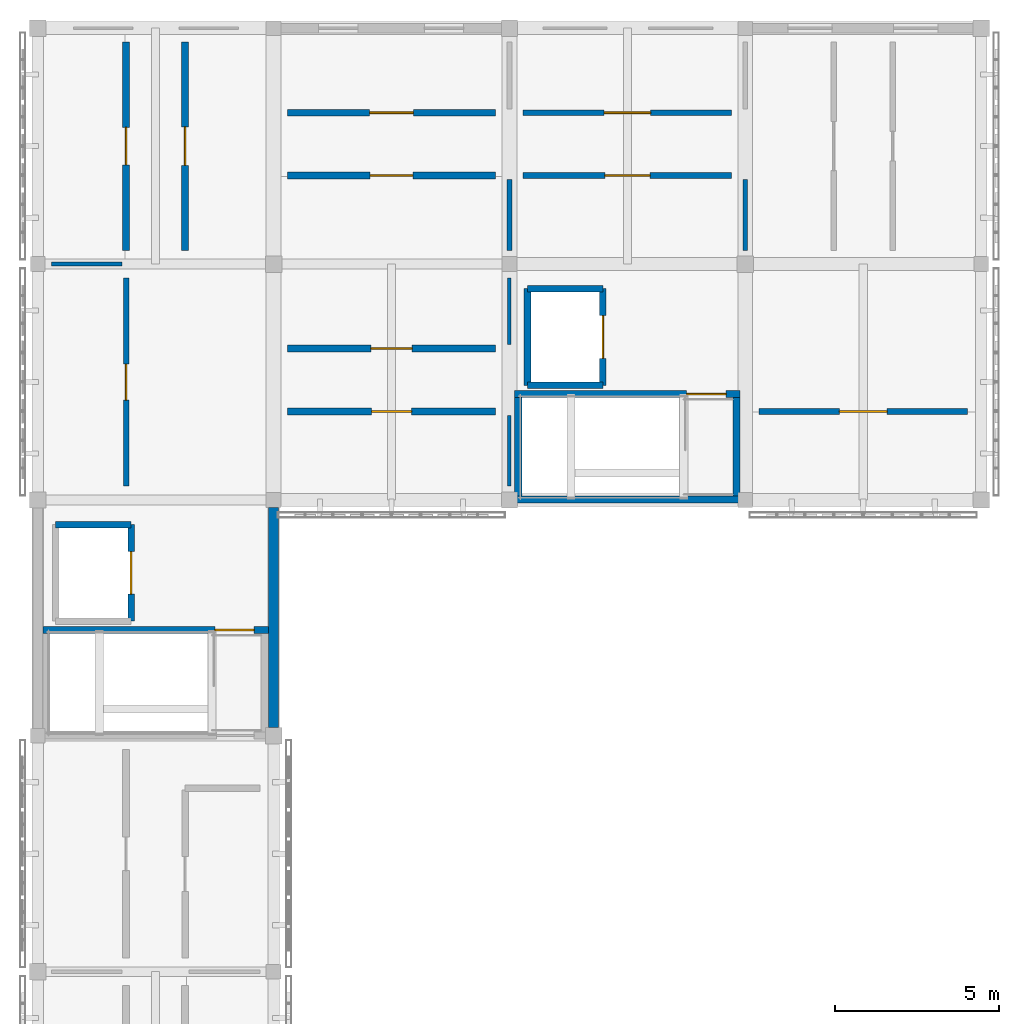
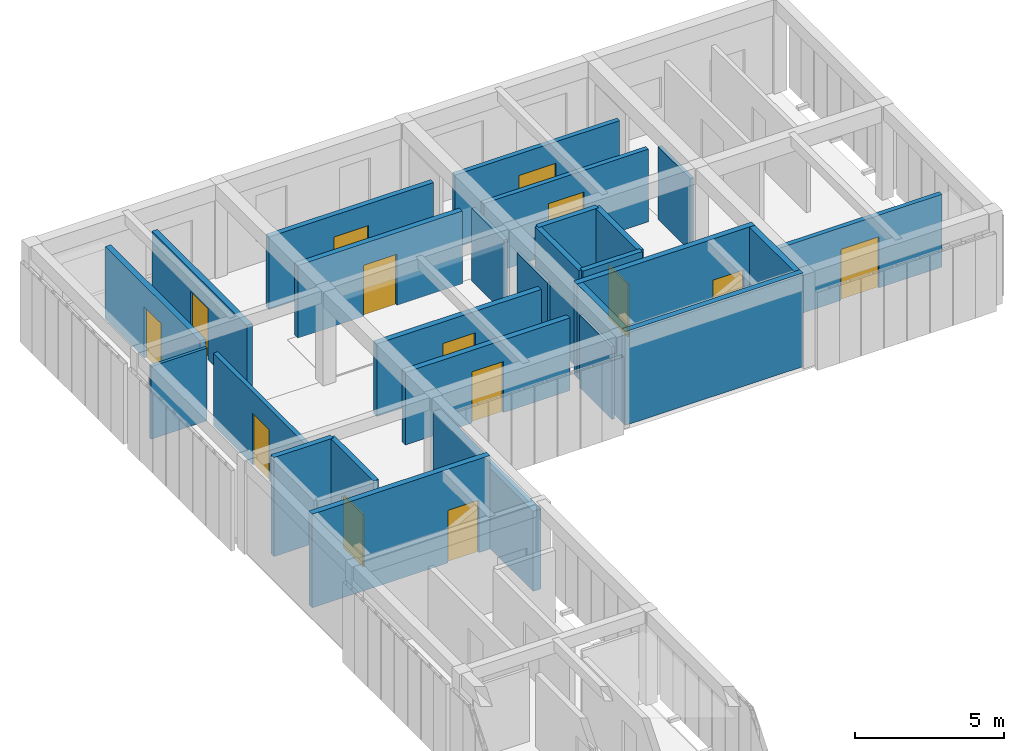
# One storey, part 11 of 14: 27 walls, 14 doors, 14 openings.
"""IFC4 building model written with IfcOpenShell, lengths in metres."""

from ifc_helpers import new_model, si_unit, direction, frame, frame_2d, origin, place, context, subcontext, project, spatial, rectangle, extrude, material, layer, layer_set, type_object, element, fill, save


model = new_model("IFC4")

# Units and contexts
model_context = context("Model", 3, precision=1e-05, world=origin(), true_north=direction((0.0, 1.0)))
body_context = subcontext(model_context, "Body", "Model", "MODEL_VIEW")
ifc_project = project(units=[si_unit("LENGTHUNIT", "METRE"), si_unit("AREAUNIT", "SQUARE_METRE"), si_unit("VOLUMEUNIT", "CUBIC_METRE"), si_unit("PLANEANGLEUNIT", "RADIAN"), si_unit("MASSUNIT", "GRAM", prefix="KILO")], contexts=[model_context])

# Site, building, storey
site_placement = place(None, origin())
site = spatial("IfcSite", under=ifc_project, at=site_placement, CompositionType="ELEMENT")
building_placement = place(site_placement, origin())
building = spatial("IfcBuilding", under=site, at=building_placement, Name="Aldebral Square Health Centre", CompositionType="ELEMENT")
storey_placement = place(building_placement, frame((0.0, 0.0, 21.60009765625)))
storey = spatial("IfcBuildingStorey", under=building, at=storey_placement, Name="L05", CompositionType="ELEMENT", Elevation=21.60009765625)

# Wall
ifc_material_1 = material(Name="Precast concrete C40/50 insulated panel", Category="concrete")
ifc_layer_1 = layer(ifc_material_1, 0.300048828125, Name="Precast concrete C40/50 insulated panel", Category="concrete")
ifc_layer_set_1 = layer_set([ifc_layer_1], Name="Precast concrete C40/50 insulated panel")
wall_type_1 = type_object("IfcWallType", Name="EW-PRE-300", PredefinedType="STANDARD", material=ifc_layer_set_1)
wall_1_placement = place(storey_placement, frame((7.199951171875, 93.85009765625, 0.0), z_axis=(0.0, 0.0, 1.0), x_axis=(0.0, 1.0, 0.0)))
element("IfcWall", 1, at=wall_1_placement, inside=storey, type_object=wall_type_1, Name="L05 V4 exterior wall L05-V4-00-13-E", PredefinedType="STANDARD", context=body_context, shape_type="SweptSolid", body=[
    extrude(rectangle(XDim=6.724853515625, YDim=0.300048828125, at=frame_2d((3.3623046875, 0.0))), origin(), (0.0, 0.0, 1.0), 3.27978515625),
])

# Wall, opening, door
ifc_material_2 = material(Name="Concrete C35/45 compartment wall", Category="concrete")
ifc_layer_2 = layer(ifc_material_2, 0.199951171875, Name="Concrete C35/45 compartment wall", Category="concrete")
ifc_layer_set_2 = layer_set([ifc_layer_2], Name="Concrete C35/45 compartment wall")
wall_type_2 = type_object("IfcWallType", Name="IW-CMP-200", PredefinedType="SOLIDWALL", material=ifc_layer_set_2)
wall_2_placement = place(storey_placement, frame((7.6201171875, 112.6201171875, 0.0), z_axis=(0.0, 0.0, 1.0), x_axis=(1.0, 0.0, 0.0)))
wall_2 = element("IfcWall", 2, at=wall_2_placement, inside=storey, type_object=wall_type_2, Name="L05 Preventive Screening Room 2.16N corridor wall", PredefinedType="SOLIDWALL", context=body_context, shape_type="SweptSolid", body=[
    extrude(rectangle(XDim=6.35986328125, YDim=0.199951171875, at=frame_2d((3.179931640625, 0.0))), origin(), (0.0, 0.0, 1.0), 2.969970703125),
])
opening_1_placement = place(wall_2_placement, frame((2.510009765625, 0.0, 0.0)))
opening_1 = element("IfcOpeningElement", 3, at=opening_1_placement, cuts=wall_2, Name="Opening D-0663", PredefinedType="OPENING", context=body_context, shape_type="SweptSolid", body=[
    extrude(rectangle(XDim=1.340087890625, YDim=2.090087890625, at=frame_2d((0.669921875, 1.044921875))), frame((0.0, 0.10986328125, 0.0), z_axis=(0.0, -1.0, 0.0), x_axis=(1.0, 0.0, 0.0)), (0.0, 0.0, 1.0), 0.219970703125),
])
ifc_material_3 = material(Name="Clinical suite fire door")
door_type_1 = type_object("IfcDoorType", Name="ID-EXD-27", OperationType="NOTDEFINED", PredefinedType="DOOR", material=ifc_material_3)
door_1_placement = place(opening_1_placement, origin())
door_1 = element("IfcDoor", 4, at=door_1_placement, inside=storey, type_object=door_type_1, Name="L05 Preventive Screening Room 2.16N door", OperationType="SINGLE_SWING_RIGHT", OverallHeight=2.090087890625, OverallWidth=1.340087890625, PredefinedType="DOOR", context=body_context, shape_type="SweptSolid", body=[
    extrude(rectangle(XDim=1.340087890625, YDim=2.090087890625, at=frame_2d((0.669921875, 1.044921875))), frame((0.0, 0.02490234375, 0.0), z_axis=(0.0, -1.0, 0.0), x_axis=(1.0, 0.0, 0.0)), (0.0, 0.0, 1.0), 0.050048828125),
])
fill(opening_1, door_1)

ifc_layer_3 = layer(ifc_material_2, 0.219970703125, Name="Concrete C35/45 compartment wall", Category="concrete")
ifc_layer_set_3 = layer_set([ifc_layer_3], Name="Concrete C35/45 compartment wall")
wall_type_3 = type_object("IfcWallType", Name="IW-CMP-220", PredefinedType="SOLIDWALL", material=ifc_layer_set_3)
wall_3_placement = place(storey_placement, frame((2.699951171875, 108.419921875, 0.0), z_axis=(0.0, 0.0, 1.0), x_axis=(0.0, 1.0, 0.0)))
wall_3 = element("IfcWall", 5, at=wall_3_placement, inside=storey, type_object=wall_type_3, Name="L05 Clinical Governance Suite 1.16W corridor wall", PredefinedType="SOLIDWALL", context=body_context, shape_type="SweptSolid", body=[
    extrude(rectangle(XDim=6.360107421875, YDim=0.219970703125, at=frame_2d((3.18017578125, 0.0))), origin(), (0.0, 0.0, 1.0), 2.969970703125),
])
opening_2_placement = place(wall_3_placement, frame((2.610107421875, 0.0, 0.0)))
opening_2 = element("IfcOpeningElement", 6, at=opening_2_placement, cuts=wall_3, Name="Opening D-0658", PredefinedType="OPENING", context=body_context, shape_type="SweptSolid", body=[
    extrude(rectangle(XDim=1.139892578125, YDim=2.090087890625, at=frame_2d((0.56982421875, 1.044921875))), frame((0.0, 0.1201171875, 0.0), z_axis=(0.0, -1.0, 0.0), x_axis=(1.0, 0.0, 0.0)), (0.0, 0.0, 1.0), 0.239990234375),
])
door_type_2 = type_object("IfcDoorType", Name="ID-EXD-22", OperationType="NOTDEFINED", PredefinedType="DOOR", material=ifc_material_3)
door_2_placement = place(opening_2_placement, origin())
door_2 = element("IfcDoor", 7, at=door_2_placement, inside=storey, type_object=door_type_2, Name="L05 Clinical Governance Suite 1.16W door", OperationType="SINGLE_SWING_LEFT", OverallHeight=2.090087890625, OverallWidth=1.139892578125, PredefinedType="DOOR", context=body_context, shape_type="SweptSolid", body=[
    extrude(rectangle(XDim=1.139892578125, YDim=2.090087890625, at=frame_2d((0.56982421875, 1.044921875))), frame((0.0, 0.02490234375, 0.0), z_axis=(0.0, -1.0, 0.0), x_axis=(1.0, 0.0, 0.0)), (0.0, 0.0, 1.0), 0.050048828125),
])
fill(opening_2, door_2)

wall_4_placement = place(storey_placement, frame((4.5, 108.419921875, 0.0), z_axis=(0.0, 0.0, 1.0), x_axis=(0.0, 1.0, 0.0)))
wall_4 = element("IfcWall", 8, at=wall_4_placement, inside=storey, type_object=wall_type_3, Name="L05 Telemedicine Consultation Room 1.16E corridor wall", PredefinedType="SOLIDWALL", context=body_context, shape_type="SweptSolid", body=[
    extrude(rectangle(XDim=6.360107421875, YDim=0.219970703125, at=frame_2d((3.18017578125, 0.0))), origin(), (0.0, 0.0, 1.0), 2.969970703125),
])
opening_3_placement = place(wall_4_placement, frame((2.590087890625, 0.0, 0.0)))
opening_3 = element("IfcOpeningElement", 9, at=opening_3_placement, cuts=wall_4, Name="Opening D-0659", PredefinedType="OPENING", context=body_context, shape_type="SweptSolid", body=[
    extrude(rectangle(XDim=1.179931640625, YDim=2.090087890625, at=frame_2d((0.58984375, 1.044921875))), frame((0.0, 0.1201171875, 0.0), z_axis=(0.0, -1.0, 0.0), x_axis=(1.0, 0.0, 0.0)), (0.0, 0.0, 1.0), 0.239990234375),
])
door_type_3 = type_object("IfcDoorType", Name="ID-EXD-23", OperationType="NOTDEFINED", PredefinedType="DOOR", material=ifc_material_3)
door_3_placement = place(opening_3_placement, origin())
door_3 = element("IfcDoor", 10, at=door_3_placement, inside=storey, type_object=door_type_3, Name="L05 Telemedicine Consultation Room 1.16E door", OperationType="SINGLE_SWING_RIGHT", OverallHeight=2.090087890625, OverallWidth=1.179931640625, PredefinedType="DOOR", context=body_context, shape_type="SweptSolid", body=[
    extrude(rectangle(XDim=1.179931640625, YDim=2.090087890625, at=frame_2d((0.58984375, 1.044921875))), frame((0.0, 0.02490234375, 0.0), z_axis=(0.0, -1.0, 0.0), x_axis=(1.0, 0.0, 0.0)), (0.0, 0.0, 1.0), 0.050048828125),
])
fill(opening_3, door_3)

wall_5_placement = place(storey_placement, frame((7.6201171875, 103.5, 0.0), z_axis=(0.0, 0.0, 1.0), x_axis=(1.0, 0.0, 0.0)))
wall_5 = element("IfcWall", 11, at=wall_5_placement, inside=storey, type_object=wall_type_3, Name="L05 Staff Continuing Education Room 2.15S corridor wall", PredefinedType="SOLIDWALL", context=body_context, shape_type="SweptSolid", body=[
    extrude(rectangle(XDim=6.35986328125, YDim=0.219970703125, at=frame_2d((3.179931640625, 0.0))), origin(), (0.0, 0.0, 1.0), 2.969970703125),
])
opening_4_placement = place(wall_5_placement, frame((2.570068359375, 0.0, 0.0)))
opening_4 = element("IfcOpeningElement", 12, at=opening_4_placement, cuts=wall_5, Name="Opening D-0660", PredefinedType="OPENING", context=body_context, shape_type="SweptSolid", body=[
    extrude(rectangle(XDim=1.219970703125, YDim=2.090087890625, at=frame_2d((0.60986328125, 1.044921875))), frame((0.0, 0.1201171875, 0.0), z_axis=(0.0, -1.0, 0.0), x_axis=(1.0, 0.0, 0.0)), (0.0, 0.0, 1.0), 0.239990234375),
])
door_type_4 = type_object("IfcDoorType", Name="ID-EXD-24", OperationType="NOTDEFINED", PredefinedType="DOOR", material=ifc_material_3)
door_4_placement = place(opening_4_placement, origin())
door_4 = element("IfcDoor", 13, at=door_4_placement, inside=storey, type_object=door_type_4, Name="L05 Staff Continuing Education Room 2.15S door", OperationType="SINGLE_SWING_LEFT", OverallHeight=2.090087890625, OverallWidth=1.219970703125, PredefinedType="DOOR", context=body_context, shape_type="SweptSolid", body=[
    extrude(rectangle(XDim=1.219970703125, YDim=2.090087890625, at=frame_2d((0.60986328125, 1.044921875))), frame((0.0, 0.02490234375, 0.0), z_axis=(0.0, -1.0, 0.0), x_axis=(1.0, 0.0, 0.0)), (0.0, 0.0, 1.0), 0.050048828125),
])
fill(opening_4, door_4)

wall_6_placement = place(storey_placement, frame((7.6201171875, 105.419921875, 0.0), z_axis=(0.0, 0.0, 1.0), x_axis=(1.0, 0.0, 0.0)))
wall_6 = element("IfcWall", 14, at=wall_6_placement, inside=storey, type_object=wall_type_3, Name="L05 Rooftop AHU Plant Room 2.15N corridor wall", PredefinedType="SOLIDWALL", context=body_context, shape_type="SweptSolid", body=[
    extrude(rectangle(XDim=6.35986328125, YDim=0.219970703125, at=frame_2d((3.179931640625, 0.0))), origin(), (0.0, 0.0, 1.0), 2.969970703125),
])
opening_5_placement = place(wall_6_placement, frame((2.550048828125, 0.0, 0.0)))
opening_5 = element("IfcOpeningElement", 15, at=opening_5_placement, cuts=wall_6, Name="Opening D-0661", PredefinedType="OPENING", context=body_context, shape_type="SweptSolid", body=[
    extrude(rectangle(XDim=1.260009765625, YDim=2.090087890625, at=frame_2d((0.6298828125, 1.044921875))), frame((0.0, 0.1201171875, 0.0), z_axis=(0.0, -1.0, 0.0), x_axis=(1.0, 0.0, 0.0)), (0.0, 0.0, 1.0), 0.239990234375),
])
door_type_5 = type_object("IfcDoorType", Name="ID-EXD-25", OperationType="NOTDEFINED", PredefinedType="DOOR", material=ifc_material_3)
door_5_placement = place(opening_5_placement, origin())
door_5 = element("IfcDoor", 16, at=door_5_placement, inside=storey, type_object=door_type_5, Name="L05 Rooftop AHU Plant Room 2.15N door", OperationType="SINGLE_SWING_RIGHT", OverallHeight=2.090087890625, OverallWidth=1.260009765625, PredefinedType="DOOR", context=body_context, shape_type="SweptSolid", body=[
    extrude(rectangle(XDim=1.260009765625, YDim=2.090087890625, at=frame_2d((0.6298828125, 1.044921875))), frame((0.0, 0.02490234375, 0.0), z_axis=(0.0, -1.0, 0.0), x_axis=(1.0, 0.0, 0.0)), (0.0, 0.0, 1.0), 0.050048828125),
])
fill(opening_5, door_5)

ifc_material_4 = material(Name="Fire-rated acoustic gypsum partition")
ifc_layer_4 = layer(ifc_material_4, 0.1650390625, Name="Fire-rated acoustic gypsum partition")
ifc_layer_set_4 = layer_set([ifc_layer_4], Name="Fire-rated acoustic gypsum partition")
wall_type_4 = type_object("IfcWallType", Name="IW-COR-165", PredefinedType="PARTITIONING", material=ifc_layer_set_4)
wall_7_placement = place(storey_placement, frame((2.699951171875, 101.219970703125, 0.0), z_axis=(0.0, 0.0, 1.0), x_axis=(0.0, 1.0, 0.0)))
wall_7 = element("IfcWall", 17, at=wall_7_placement, inside=storey, type_object=wall_type_4, Name="L05 Epidemiology Surveillance Office 1.15W corridor wall", PredefinedType="PARTITIONING", context=body_context, shape_type="SweptSolid", body=[
    extrude(rectangle(XDim=6.360107421875, YDim=0.1650390625, at=frame_2d((3.18017578125, 0.0))), origin(), (0.0, 0.0, 1.0), 2.969970703125),
])
opening_6_placement = place(wall_7_placement, frame((2.6298828125, 0.0, 0.0)))
opening_6 = element("IfcOpeningElement", 18, at=opening_6_placement, cuts=wall_7, Name="Opening D-0657", PredefinedType="OPENING", context=body_context, shape_type="SweptSolid", body=[
    extrude(rectangle(XDim=1.10009765625, YDim=2.090087890625, at=frame_2d((0.550048828125, 1.044921875))), frame((0.0, 0.092529296875, 0.0), z_axis=(0.0, -1.0, 0.0), x_axis=(1.0, 0.0, 0.0)), (0.0, 0.0, 1.0), 0.18505859375),
])
door_type_6 = type_object("IfcDoorType", Name="ID-EXD-21", OperationType="NOTDEFINED", PredefinedType="DOOR", material=ifc_material_3)
door_6_placement = place(opening_6_placement, origin())
door_6 = element("IfcDoor", 19, at=door_6_placement, inside=storey, type_object=door_type_6, Name="L05 Epidemiology Surveillance Office 1.15W door", OperationType="SINGLE_SWING_RIGHT", OverallHeight=2.090087890625, OverallWidth=1.10009765625, PredefinedType="DOOR", context=body_context, shape_type="SweptSolid", body=[
    extrude(rectangle(XDim=1.10009765625, YDim=2.090087890625, at=frame_2d((0.550048828125, 1.044921875))), frame((0.0, 0.02490234375, 0.0), z_axis=(0.0, -1.0, 0.0), x_axis=(1.0, 0.0, 0.0)), (0.0, 0.0, 1.0), 0.050048828125),
])
fill(opening_6, door_6)

ifc_layer_5 = layer(ifc_material_4, 0.179931640625, Name="Fire-rated acoustic gypsum partition")
ifc_layer_set_5 = layer_set([ifc_layer_5], Name="Fire-rated acoustic gypsum partition")
wall_type_5 = type_object("IfcWallType", Name="IW-COR-180", PredefinedType="PARTITIONING", material=ifc_layer_set_5)
wall_8_placement = place(storey_placement, frame((14.820068359375, 110.699951171875, 0.0), z_axis=(0.0, 0.0, 1.0), x_axis=(1.0, 0.0, 0.0)))
wall_8 = element("IfcWall", 20, at=wall_8_placement, inside=storey, type_object=wall_type_5, Name="L05 Epidemiology Surveillance Office 3.16S corridor wall", PredefinedType="PARTITIONING", context=body_context, shape_type="SweptSolid", body=[
    extrude(rectangle(XDim=6.35986328125, YDim=0.179931640625, at=frame_2d((3.179931640625, 0.0))), origin(), (0.0, 0.0, 1.0), 2.969970703125),
])
opening_7_placement = place(wall_8_placement, frame((2.489990234375, 0.0, 0.0)))
opening_7 = element("IfcOpeningElement", 21, at=opening_7_placement, cuts=wall_8, Name="Opening D-0664", PredefinedType="OPENING", context=body_context, shape_type="SweptSolid", body=[
    extrude(rectangle(XDim=1.3798828125, YDim=2.090087890625, at=frame_2d((0.68994140625, 1.044921875))), frame((0.0, 0.10009765625, 0.0), z_axis=(0.0, -1.0, 0.0), x_axis=(1.0, 0.0, 0.0)), (0.0, 0.0, 1.0), 0.199951171875),
])
door_type_7 = type_object("IfcDoorType", Name="ID-EXD-28", OperationType="NOTDEFINED", PredefinedType="DOOR", material=ifc_material_3)
door_7_placement = place(opening_7_placement, origin())
door_7 = element("IfcDoor", 22, at=door_7_placement, inside=storey, type_object=door_type_7, Name="L05 Epidemiology Surveillance Office 3.16S door", OperationType="SINGLE_SWING_LEFT", OverallHeight=2.090087890625, OverallWidth=1.3798828125, PredefinedType="DOOR", context=body_context, shape_type="SweptSolid", body=[
    extrude(rectangle(XDim=1.3798828125, YDim=2.090087890625, at=frame_2d((0.68994140625, 1.044921875))), frame((0.0, 0.02490234375, 0.0), z_axis=(0.0, -1.0, 0.0), x_axis=(1.0, 0.0, 0.0)), (0.0, 0.0, 1.0), 0.050048828125),
])
fill(opening_7, door_7)

wall_9_placement = place(storey_placement, frame((14.820068359375, 112.6201171875, 0.0), z_axis=(0.0, 0.0, 1.0), x_axis=(1.0, 0.0, 0.0)))
wall_9 = element("IfcWall", 23, at=wall_9_placement, inside=storey, type_object=wall_type_5, Name="L05 Clinical Governance Suite 3.16N corridor wall", PredefinedType="PARTITIONING", context=body_context, shape_type="SweptSolid", body=[
    extrude(rectangle(XDim=6.35986328125, YDim=0.179931640625, at=frame_2d((3.179931640625, 0.0))), origin(), (0.0, 0.0, 1.0), 2.969970703125),
])
opening_8_placement = place(wall_9_placement, frame((2.469970703125, 0.0, 0.0)))
opening_8 = element("IfcOpeningElement", 24, at=opening_8_placement, cuts=wall_9, Name="Opening D-0665", PredefinedType="OPENING", context=body_context, shape_type="SweptSolid", body=[
    extrude(rectangle(XDim=1.419921875, YDim=2.090087890625, at=frame_2d((0.7099609375, 1.044921875))), frame((0.0, 0.10009765625, 0.0), z_axis=(0.0, -1.0, 0.0), x_axis=(1.0, 0.0, 0.0)), (0.0, 0.0, 1.0), 0.199951171875),
])
door_type_8 = type_object("IfcDoorType", Name="ID-EXD-29", OperationType="NOTDEFINED", PredefinedType="DOOR", material=ifc_material_3)
door_8_placement = place(opening_8_placement, origin())
door_8 = element("IfcDoor", 25, at=door_8_placement, inside=storey, type_object=door_type_8, Name="L05 Clinical Governance Suite 3.16N door", OperationType="SINGLE_SWING_RIGHT", OverallHeight=2.090087890625, OverallWidth=1.419921875, PredefinedType="DOOR", context=body_context, shape_type="SweptSolid", body=[
    extrude(rectangle(XDim=1.419921875, YDim=2.090087890625, at=frame_2d((0.7099609375, 1.044921875))), frame((0.0, 0.02490234375, 0.0), z_axis=(0.0, -1.0, 0.0), x_axis=(1.0, 0.0, 0.0)), (0.0, 0.0, 1.0), 0.050048828125),
])
fill(opening_8, door_8)

wall_10_placement = place(storey_placement, frame((22.02001953125, 103.5, 0.0), z_axis=(0.0, 0.0, 1.0), x_axis=(1.0, 0.0, 0.0)))
wall_10 = element("IfcWall", 26, at=wall_10_placement, inside=storey, type_object=wall_type_5, Name="L05 Telemedicine Consultation Room 4.15S corridor wall", PredefinedType="PARTITIONING", context=body_context, shape_type="SweptSolid", body=[
    extrude(rectangle(XDim=6.35986328125, YDim=0.179931640625, at=frame_2d((3.179931640625, 0.0))), origin(), (0.0, 0.0, 1.0), 2.969970703125),
])
opening_9_placement = place(wall_10_placement, frame((2.449951171875, 0.0, 0.0)))
opening_9 = element("IfcOpeningElement", 27, at=opening_9_placement, cuts=wall_10, Name="Opening D-0666", PredefinedType="OPENING", context=body_context, shape_type="SweptSolid", body=[
    extrude(rectangle(XDim=1.4599609375, YDim=2.090087890625, at=frame_2d((0.72998046875, 1.044921875))), frame((0.0, 0.10009765625, 0.0), z_axis=(0.0, -1.0, 0.0), x_axis=(1.0, 0.0, 0.0)), (0.0, 0.0, 1.0), 0.199951171875),
])
door_type_9 = type_object("IfcDoorType", Name="ID-EXD-30", OperationType="NOTDEFINED", PredefinedType="DOOR", material=ifc_material_3)
door_9_placement = place(opening_9_placement, origin())
door_9 = element("IfcDoor", 28, at=door_9_placement, inside=storey, type_object=door_type_9, Name="L05 Telemedicine Consultation Room 4.15S door", OperationType="SINGLE_SWING_LEFT", OverallHeight=2.090087890625, OverallWidth=1.4599609375, PredefinedType="DOOR", context=body_context, shape_type="SweptSolid", body=[
    extrude(rectangle(XDim=1.4599609375, YDim=2.090087890625, at=frame_2d((0.72998046875, 1.044921875))), frame((0.0, 0.02490234375, 0.0), z_axis=(0.0, -1.0, 0.0), x_axis=(1.0, 0.0, 0.0)), (0.0, 0.0, 1.0), 0.050048828125),
])
fill(opening_9, door_9)

ifc_material_5 = material(Name="Concrete C40/50", Category="concrete")
ifc_layer_6 = layer(ifc_material_5, 0.219970703125, Name="Concrete C40/50", Category="concrete")
ifc_layer_set_6 = layer_set([ifc_layer_6], Name="Concrete C40/50")
wall_type_6 = type_object("IfcWallType", Name="IW-CORE-280", PredefinedType="SHEAR", material=ifc_layer_set_6)
wall_11_placement = place(storey_placement, frame((0.159912109375, 96.830078125, 0.0), z_axis=(0.0, 0.0, 1.0), x_axis=(1.0, 0.0, 0.0)))
wall_11 = element("IfcWall", 29, at=wall_11_placement, inside=storey, type_object=wall_type_6, Name="L05 WC-C1 shaft wall N", PredefinedType="SHEAR", context=body_context, shape_type="SweptSolid", body=[
    extrude(rectangle(XDim=6.880126953125, YDim=0.219970703125, at=frame_2d((3.43994140625, 0.0))), origin(), (0.0, 0.0, 1.0), 3.829833984375),
])
opening_10_placement = place(wall_11_placement, frame((5.25, 0.0, 0.0)))
opening_10 = element("IfcOpeningElement", 30, at=opening_10_placement, cuts=wall_11, Name="Opening D-0017", PredefinedType="OPENING", context=body_context, shape_type="SweptSolid", body=[
    extrude(rectangle(XDim=1.199951171875, YDim=2.14990234375, at=frame_2d((0.60009765625, 1.074951171875))), frame((0.0, 0.1201171875, 0.0), z_axis=(0.0, -1.0, 0.0), x_axis=(1.0, 0.0, 0.0)), (0.0, 0.0, 1.0), 0.239990234375),
])
ifc_material_6 = material(Name="Fire-rated steel stair door", Category="steel")
door_type_10 = type_object("IfcDoorType", Name="ID-ST-120", OperationType="NOTDEFINED", PredefinedType="DOOR", material=ifc_material_6)
door_10_placement = place(opening_10_placement, origin())
door_10 = element("IfcDoor", 31, at=door_10_placement, inside=storey, type_object=door_type_10, Name="L05 ST-01 fire door", OperationType="SINGLE_SWING_RIGHT", OverallHeight=2.14990234375, OverallWidth=1.199951171875, PredefinedType="DOOR", context=body_context, shape_type="SweptSolid", body=[
    extrude(rectangle(XDim=1.199951171875, YDim=2.14990234375, at=frame_2d((0.60009765625, 1.074951171875))), frame((0.0, 0.02490234375, 0.0), z_axis=(0.0, -1.0, 0.0), x_axis=(1.0, 0.0, 0.0)), (0.0, 0.0, 1.0), 0.050048828125),
])
fill(opening_10, door_10)

# Wall
wall_12_placement = place(storey_placement, frame((14.56005859375, 100.81005859375, 0.0), z_axis=(0.0, 0.0, 1.0), x_axis=(1.0, 0.0, 0.0)))
element("IfcWall", 32, at=wall_12_placement, inside=storey, type_object=wall_type_6, Name="L05 WC-C2 shaft wall S", PredefinedType="SHEAR", context=body_context, shape_type="SweptSolid", body=[
    extrude(rectangle(XDim=6.8798828125, YDim=0.219970703125, at=frame_2d((3.43994140625, 0.0))), origin(), (0.0, 0.0, 1.0), 3.829833984375),
])

# Wall, opening, door
wall_13_placement = place(storey_placement, frame((14.56005859375, 104.030029296875, 0.0), z_axis=(0.0, 0.0, 1.0), x_axis=(1.0, 0.0, 0.0)))
wall_13 = element("IfcWall", 33, at=wall_13_placement, inside=storey, type_object=wall_type_6, Name="L05 WC-C2 shaft wall N", PredefinedType="SHEAR", context=body_context, shape_type="SweptSolid", body=[
    extrude(rectangle(XDim=6.8798828125, YDim=0.219970703125, at=frame_2d((3.43994140625, 0.0))), origin(), (0.0, 0.0, 1.0), 3.829833984375),
])
opening_11_placement = place(wall_13_placement, frame((5.25, 0.0, 0.0)))
opening_11 = element("IfcOpeningElement", 34, at=opening_11_placement, cuts=wall_13, Name="Opening D-0029", PredefinedType="OPENING", context=body_context, shape_type="SweptSolid", body=[
    extrude(rectangle(XDim=1.199951171875, YDim=2.14990234375, at=frame_2d((0.60009765625, 1.074951171875))), frame((0.0, 0.1201171875, 0.0), z_axis=(0.0, -1.0, 0.0), x_axis=(1.0, 0.0, 0.0)), (0.0, 0.0, 1.0), 0.239990234375),
])
door_11_placement = place(opening_11_placement, origin())
door_11 = element("IfcDoor", 35, at=door_11_placement, inside=storey, type_object=door_type_10, Name="L05 ST-02 fire door", OperationType="SINGLE_SWING_LEFT", OverallHeight=2.14990234375, OverallWidth=1.199951171875, PredefinedType="DOOR", context=body_context, shape_type="SweptSolid", body=[
    extrude(rectangle(XDim=1.199951171875, YDim=2.14990234375, at=frame_2d((0.60009765625, 1.074951171875))), frame((0.0, 0.02490234375, 0.0), z_axis=(0.0, -1.0, 0.0), x_axis=(1.0, 0.0, 0.0)), (0.0, 0.0, 1.0), 0.050048828125),
])
fill(opening_11, door_11)

# Walls
for number, where, z_axis, x_axis, name in (
    (36, (14.669921875, 100.919921875, 0.0), (0.0, 0.0, 1.0), (0.0, 1.0, 0.0), "L05 WC-C2 shaft wall W"),
    (37, (21.330078125, 100.919921875, 0.0), (0.0, 0.0, 1.0), (0.0, 1.0, 0.0), "L05 WC-C2 shaft wall E"),
):
    element("IfcWall", number, at=place(storey_placement, frame(where, z_axis=z_axis, x_axis=x_axis)), inside=storey, type_object=wall_type_6, Name=name, PredefinedType="SHEAR", context=body_context, shape_type="SweptSolid", body=[
        extrude(rectangle(XDim=3.0, YDim=0.219970703125, at=frame_2d((1.5, 0.0))), origin(), (0.0, 0.0, 1.0), 3.829833984375),
    ])
ifc_layer_7 = layer(ifc_material_5, 0.199951171875, Name="Concrete C40/50", Category="concrete")
ifc_layer_set_7 = layer_set([ifc_layer_7], Name="Concrete C40/50")
wall_type_7 = type_object("IfcWallType", Name="IW-LFT-250", PredefinedType="SHEAR", material=ifc_layer_set_7)
wall_14_placement = place(storey_placement, frame((0.550048828125, 100.050048828125, 0.0), z_axis=(0.0, 0.0, 1.0), x_axis=(1.0, 0.0, 0.0)))
element("IfcWall", 38, at=wall_14_placement, inside=storey, type_object=wall_type_7, Name="L05 LF-01 shaft wall N", PredefinedType="SHEAR", context=body_context, shape_type="SweptSolid", body=[
    extrude(rectangle(XDim=2.300048828125, YDim=0.199951171875, at=frame_2d((1.14990234375, 0.0))), origin(), (0.0, 0.0, 1.0), 4.0498046875),
])

# Wall, opening, door
wall_15_placement = place(storey_placement, frame((2.85009765625, 97.10009765625, 0.0), z_axis=(0.0, 0.0, 1.0), x_axis=(0.0, 1.0, 0.0)))
wall_15 = element("IfcWall", 39, at=wall_15_placement, inside=storey, type_object=wall_type_7, Name="L05 LF-01 landing wall", PredefinedType="SHEAR", context=body_context, shape_type="SweptSolid", body=[
    extrude(rectangle(XDim=2.949951171875, YDim=0.199951171875, at=frame_2d((1.47509765625, 0.0))), origin(), (0.0, 0.0, 1.0), 4.0498046875),
])
opening_12_placement = place(wall_15_placement, frame((0.824951171875, 0.0, 0.0)))
opening_12 = element("IfcOpeningElement", 40, at=opening_12_placement, cuts=wall_15, Name="Opening D-0019", PredefinedType="OPENING", context=body_context, shape_type="SweptSolid", body=[
    extrude(rectangle(XDim=1.300048828125, YDim=2.14990234375, at=frame_2d((0.64990234375, 1.074951171875))), frame((0.0, 0.10986328125, 0.0), z_axis=(0.0, -1.0, 0.0), x_axis=(1.0, 0.0, 0.0)), (0.0, 0.0, 1.0), 0.219970703125),
])
ifc_material_7 = material(Name="Stainless steel stretcher lift landing door", Category="steel")
door_type_11 = type_object("IfcDoorType", Name="ID-LD-130", OperationType="SLIDING_TO_LEFT", PredefinedType="DOOR", material=ifc_material_7)
door_12_placement = place(opening_12_placement, origin())
door_12 = element("IfcDoor", 41, at=door_12_placement, inside=storey, type_object=door_type_11, Name="L05 LF-01 sliding landing door", OperationType="SLIDING_TO_LEFT", OverallHeight=2.14990234375, OverallWidth=1.300048828125, PredefinedType="DOOR", context=body_context, shape_type="SweptSolid", body=[
    extrude(rectangle(XDim=1.300048828125, YDim=2.14990234375, at=frame_2d((0.64990234375, 1.074951171875))), frame((0.0, 0.02490234375, 0.0), z_axis=(0.0, -1.0, 0.0), x_axis=(1.0, 0.0, 0.0)), (0.0, 0.0, 1.0), 0.050048828125),
])
fill(opening_12, door_12)

# Walls
wall_16_placement = place(storey_placement, frame((14.949951171875, 104.300048828125, 0.0), z_axis=(0.0, 0.0, 1.0), x_axis=(1.0, 0.0, 0.0)))
element("IfcWall", 42, at=wall_16_placement, inside=storey, type_object=wall_type_7, Name="L05 LF-02 shaft wall S", PredefinedType="SHEAR", context=body_context, shape_type="SweptSolid", body=[
    extrude(rectangle(XDim=2.300048828125, YDim=0.199951171875, at=frame_2d((1.14990234375, 0.0))), origin(), (0.0, 0.0, 1.0), 4.0498046875),
])
wall_17_placement = place(storey_placement, frame((14.949951171875, 104.300048828125, 0.0), z_axis=(0.0, 0.0, 1.0), x_axis=(0.0, 1.0, 0.0)))
element("IfcWall", 43, at=wall_17_placement, inside=storey, type_object=wall_type_7, Name="L05 LF-02 shaft wall W", PredefinedType="SHEAR", context=body_context, shape_type="SweptSolid", body=[
    extrude(rectangle(XDim=2.949951171875, YDim=0.199951171875, at=frame_2d((1.47509765625, 0.0))), origin(), (0.0, 0.0, 1.0), 4.0498046875),
])
wall_18_placement = place(storey_placement, frame((14.949951171875, 107.25, 0.0), z_axis=(0.0, 0.0, 1.0), x_axis=(1.0, 0.0, 0.0)))
element("IfcWall", 44, at=wall_18_placement, inside=storey, type_object=wall_type_7, Name="L05 LF-02 shaft wall N", PredefinedType="SHEAR", context=body_context, shape_type="SweptSolid", body=[
    extrude(rectangle(XDim=2.300048828125, YDim=0.199951171875, at=frame_2d((1.14990234375, 0.0))), origin(), (0.0, 0.0, 1.0), 4.0498046875),
])

# Wall, opening, door
wall_19_placement = place(storey_placement, frame((17.25, 104.300048828125, 0.0), z_axis=(0.0, 0.0, 1.0), x_axis=(0.0, 1.0, 0.0)))
wall_19 = element("IfcWall", 45, at=wall_19_placement, inside=storey, type_object=wall_type_7, Name="L05 LF-02 landing wall", PredefinedType="SHEAR", context=body_context, shape_type="SweptSolid", body=[
    extrude(rectangle(XDim=2.949951171875, YDim=0.199951171875, at=frame_2d((1.47509765625, 0.0))), origin(), (0.0, 0.0, 1.0), 4.0498046875),
])
opening_13_placement = place(wall_19_placement, frame((0.824951171875, 0.0, 0.0)))
opening_13 = element("IfcOpeningElement", 46, at=opening_13_placement, cuts=wall_19, Name="Opening D-0030", PredefinedType="OPENING", context=body_context, shape_type="SweptSolid", body=[
    extrude(rectangle(XDim=1.300048828125, YDim=2.14990234375, at=frame_2d((0.64990234375, 1.074951171875))), frame((0.0, 0.10986328125, 0.0), z_axis=(0.0, -1.0, 0.0), x_axis=(1.0, 0.0, 0.0)), (0.0, 0.0, 1.0), 0.219970703125),
])
door_13_placement = place(opening_13_placement, origin())
door_13 = element("IfcDoor", 47, at=door_13_placement, inside=storey, type_object=door_type_11, Name="L05 LF-02 sliding landing door", OperationType="SLIDING_TO_LEFT", OverallHeight=2.14990234375, OverallWidth=1.300048828125, PredefinedType="DOOR", context=body_context, shape_type="SweptSolid", body=[
    extrude(rectangle(XDim=1.300048828125, YDim=2.14990234375, at=frame_2d((0.64990234375, 1.074951171875))), frame((0.0, 0.02490234375, 0.0), z_axis=(0.0, -1.0, 0.0), x_axis=(1.0, 0.0, 0.0)), (0.0, 0.0, 1.0), 0.050048828125),
])
fill(opening_13, door_13)

ifc_material_8 = material(Name="Moisture-resistant sanitary chase wall")
ifc_layer_8 = layer(ifc_material_8, 0.2099609375, Name="Moisture-resistant sanitary chase wall")
ifc_layer_set_8 = layer_set([ifc_layer_8], Name="Moisture-resistant sanitary chase wall")
wall_type_8 = type_object("IfcWallType", Name="IW-PLB-210", PredefinedType="PLUMBINGWALL", material=ifc_layer_set_8)
wall_20_placement = place(storey_placement, frame((7.6201171875, 110.699951171875, 0.0), z_axis=(0.0, 0.0, 1.0), x_axis=(1.0, 0.0, 0.0)))
wall_20 = element("IfcWall", 48, at=wall_20_placement, inside=storey, type_object=wall_type_8, Name="L05 Accessible WC 2.16S corridor wall", PredefinedType="PLUMBINGWALL", context=body_context, shape_type="SweptSolid", body=[
    extrude(rectangle(XDim=6.35986328125, YDim=0.2099609375, at=frame_2d((3.179931640625, 0.0))), origin(), (0.0, 0.0, 1.0), 2.969970703125),
])
opening_14_placement = place(wall_20_placement, frame((2.530029296875, 0.0, 0.0)))
opening_14 = element("IfcOpeningElement", 49, at=opening_14_placement, cuts=wall_20, Name="Opening D-0662", PredefinedType="OPENING", context=body_context, shape_type="SweptSolid", body=[
    extrude(rectangle(XDim=1.300048828125, YDim=2.090087890625, at=frame_2d((0.64990234375, 1.044921875))), frame((0.0, 0.114990234375, 0.0), z_axis=(0.0, -1.0, 0.0), x_axis=(1.0, 0.0, 0.0)), (0.0, 0.0, 1.0), 0.22998046875),
])
door_type_12 = type_object("IfcDoorType", Name="ID-EXD-26", OperationType="NOTDEFINED", PredefinedType="DOOR", material=ifc_material_3)
door_14_placement = place(opening_14_placement, origin())
door_14 = element("IfcDoor", 50, at=door_14_placement, inside=storey, type_object=door_type_12, Name="L05 Accessible WC 2.16S door", OperationType="SINGLE_SWING_LEFT", OverallHeight=2.090087890625, OverallWidth=1.300048828125, PredefinedType="DOOR", context=body_context, shape_type="SweptSolid", body=[
    extrude(rectangle(XDim=1.300048828125, YDim=2.090087890625, at=frame_2d((0.64990234375, 1.044921875))), frame((0.0, 0.02490234375, 0.0), z_axis=(0.0, -1.0, 0.0), x_axis=(1.0, 0.0, 0.0)), (0.0, 0.0, 1.0), 0.050048828125),
])
fill(opening_14, door_14)

# Walls
ifc_material_9 = material(Name="Lightweight clinical partition")
ifc_layer_9 = layer(ifc_material_9, 0.10498046875, Name="Lightweight clinical partition")
ifc_layer_set_9 = layer_set([ifc_layer_9], Name="Lightweight clinical partition")
wall_type_9 = type_object("IfcWallType", Name="IW-PRT-105", PredefinedType="PARTITIONING", material=ifc_layer_set_9)
wall_21_placement = place(storey_placement, frame((14.39990234375, 101.219970703125, 0.0), z_axis=(0.0, 0.0, 1.0), x_axis=(0.0, 1.0, 0.0)))
element("IfcWall", 51, at=wall_21_placement, inside=storey, type_object=wall_type_9, Name="L05 Staff Continuing Education Room 2.15S demising partition", PredefinedType="PARTITIONING", context=body_context, shape_type="SweptSolid", body=[
    extrude(rectangle(XDim=2.159912109375, YDim=0.10498046875, at=frame_2d((1.080078125, 0.0))), origin(), (0.0, 0.0, 1.0), 2.969970703125),
])
wall_22_placement = place(storey_placement, frame((14.39990234375, 105.5400390625, 0.0), z_axis=(0.0, 0.0, 1.0), x_axis=(0.0, 1.0, 0.0)))
element("IfcWall", 52, at=wall_22_placement, inside=storey, type_object=wall_type_9, Name="L05 Rooftop AHU Plant Room 2.15N demising partition", PredefinedType="PARTITIONING", context=body_context, shape_type="SweptSolid", body=[
    extrude(rectangle(XDim=2.0400390625, YDim=0.10498046875, at=frame_2d((1.02001953125, 0.0))), origin(), (0.0, 0.0, 1.0), 2.969970703125),
])
ifc_material_10 = material(Name="Acoustic clinical gypsum partition")
ifc_layer_10 = layer(ifc_material_10, 0.1201171875, Name="Acoustic clinical gypsum partition")
ifc_layer_set_10 = layer_set([ifc_layer_10], Name="Acoustic clinical gypsum partition")
wall_type_10 = type_object("IfcWallType", Name="IW-PRT-120", PredefinedType="PARTITIONING", material=ifc_layer_set_10)
wall_23_placement = place(storey_placement, frame((0.419921875, 108.0, 0.0), z_axis=(0.0, 0.0, 1.0), x_axis=(1.0, 0.0, 0.0)))
element("IfcWall", 53, at=wall_23_placement, inside=storey, type_object=wall_type_10, Name="L05 Epidemiology Surveillance Office 1.15W demising partition", PredefinedType="PARTITIONING", context=body_context, shape_type="SweptSolid", body=[
    extrude(rectangle(XDim=2.16015625, YDim=0.1201171875, at=frame_2d((1.080078125, 0.0))), origin(), (0.0, 0.0, 1.0), 2.969970703125),
])
ifc_layer_11 = layer(ifc_material_10, 0.135009765625, Name="Acoustic clinical gypsum partition")
ifc_layer_set_11 = layer_set([ifc_layer_11], Name="Acoustic clinical gypsum partition")
wall_type_11 = type_object("IfcWallType", Name="IW-PRT-135", PredefinedType="PARTITIONING", material=ifc_layer_set_11)
wall_24_placement = place(storey_placement, frame((21.60009765625, 108.419921875, 0.0), z_axis=(0.0, 0.0, 1.0), x_axis=(0.0, 1.0, 0.0)))
element("IfcWall", 54, at=wall_24_placement, inside=storey, type_object=wall_type_11, Name="L05 Epidemiology Surveillance Office 3.16S demising partition", PredefinedType="PARTITIONING", context=body_context, shape_type="SweptSolid", body=[
    extrude(rectangle(XDim=2.16015625, YDim=0.135009765625, at=frame_2d((1.080078125, 0.0))), origin(), (0.0, 0.0, 1.0), 2.969970703125),
])
ifc_layer_12 = layer(ifc_material_10, 0.14990234375, Name="Acoustic clinical gypsum partition")
ifc_layer_set_12 = layer_set([ifc_layer_12], Name="Acoustic clinical gypsum partition")
wall_type_12 = type_object("IfcWallType", Name="IW-PRT-150", PredefinedType="PARTITIONING", material=ifc_layer_set_12)
wall_25_placement = place(storey_placement, frame((14.39990234375, 108.419921875, 0.0), z_axis=(0.0, 0.0, 1.0), x_axis=(0.0, 1.0, 0.0)))
element("IfcWall", 55, at=wall_25_placement, inside=storey, type_object=wall_type_12, Name="L05 Accessible WC 2.16S demising partition", PredefinedType="PARTITIONING", context=body_context, shape_type="SweptSolid", body=[
    extrude(rectangle(XDim=2.16015625, YDim=0.14990234375, at=frame_2d((1.080078125, 0.0))), origin(), (0.0, 0.0, 1.0), 2.969970703125),
])

save(model, "model.ifc")
